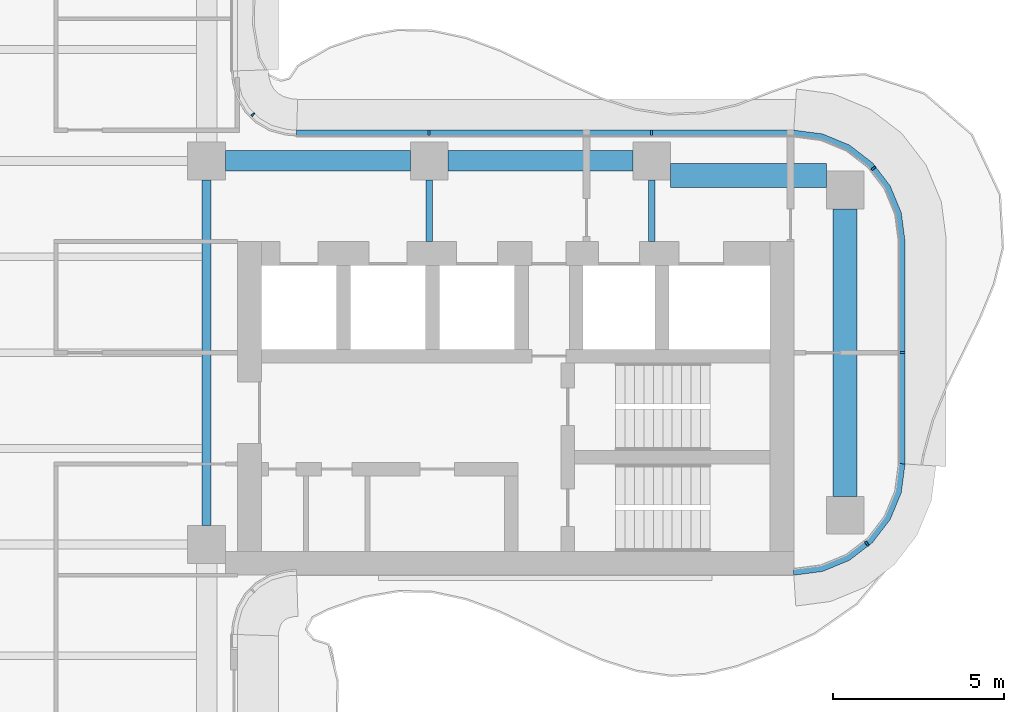
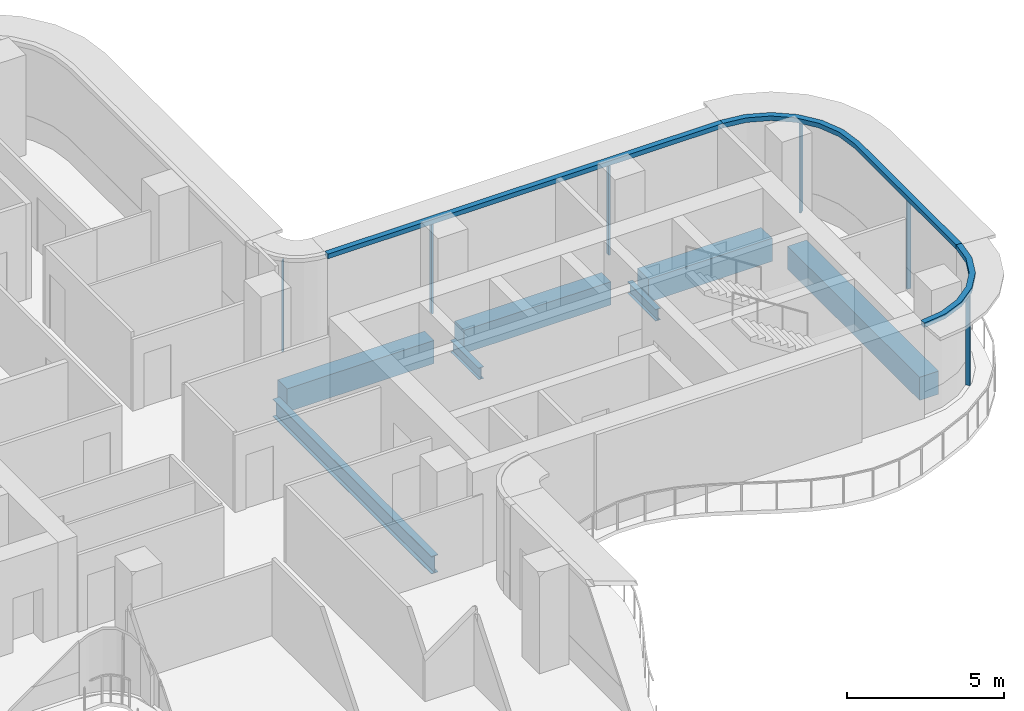
# One storey, part 6 of 17: 9 members, 7 beams, 4 elements without a shape of their own.
"""IFC4 building model written with IfcOpenShell, lengths in metres."""

from ifc_helpers import new_model, si_unit, direction, frame, origin, origin_2d, place, context, subcontext, project, spatial, polyline, rectangle, i_section, outline, extrude, source, transform, mapped, material, layer, layer_set, material_profile, profile_set, type_object, element, aggregate, save


model = new_model("IFC4")

# Units and contexts
model_context = context("Model", 3, precision=1e-05, world=origin(), true_north=direction((0.0, 1.0)))
body_context = subcontext(model_context, "Body", "Model", "MODEL_VIEW")
ifc_project = project(units=[si_unit("LENGTHUNIT", "METRE"), si_unit("AREAUNIT", "SQUARE_METRE"), si_unit("VOLUMEUNIT", "CUBIC_METRE"), si_unit("PLANEANGLEUNIT", "RADIAN"), si_unit("MASSUNIT", "GRAM", prefix="KILO")], contexts=[model_context])

# Site, building, storey
site_placement = place(None, origin())
site = spatial("IfcSite", under=ifc_project, at=site_placement, CompositionType="ELEMENT")
building_placement = place(site_placement, origin())
building = spatial("IfcBuilding", under=site, at=building_placement, Name="Trellis Farm Tower", CompositionType="ELEMENT")
storey_placement = place(building_placement, frame((0.0, 0.0, 244.10009765625)))
storey = spatial("IfcBuildingStorey", under=building, at=storey_placement, Name="L54", CompositionType="ELEMENT", Elevation=244.10009765625)

# Beams
ifc_material_1 = material(Name="Steel S355", Category="steel")
ifc_material_profile_1 = material_profile(ifc_material_1, i_section(OverallWidth=0.253662109375, OverallDepth=0.68359375, WebThickness=0.012451171875, FlangeThickness=0.021728515625, FilletRadius=0.01513671875, at=origin_2d()), Name="UB 686x254x140")
ifc_profile_set_1 = profile_set([ifc_material_profile_1], Name="Steel S355")
beam_type_1 = type_object("IfcBeamType", Name="UB 686x254x140", PredefinedType="BEAM", material=ifc_profile_set_1)
shared_shape_1 = source(origin(), body_context, "Body", "SweptSolid", [
    extrude(i_section(OverallWidth=0.253662109375, OverallDepth=0.68359375, WebThickness=0.012451171875, FlangeThickness=0.021728515625, FilletRadius=0.01513671875, at=origin_2d()), origin(), (0.0, 0.0, 1.0), 10.10009765625),
])
beam_1_placement = place(storey_placement, frame((5.60009765625, -5.050048828125, -0.541748046875), z_axis=(0.0, 1.0, 0.0), x_axis=(-1.0, 0.0, 0.0)))
element("IfcBeam", 1, at=beam_1_placement, inside=storey, type_object=beam_type_1, Name="Girder", PredefinedType="BEAM", context=body_context, shape_type="MappedRepresentation", body=[
    mapped(shared_shape_1, transform((0.0, 0.0, 0.0))),
])
ifc_material_profile_2 = material_profile(ifc_material_1, i_section(OverallWidth=0.1904296875, OverallDepth=0.45703125, WebThickness=0.009033203125, FlangeThickness=0.014404296875, FilletRadius=0.01025390625, at=origin_2d()), Name="UB 457x191x74")
ifc_profile_set_2 = profile_set([ifc_material_profile_2], Name="Steel S355")
beam_type_2 = type_object("IfcBeamType", Name="UB 457x191x74", PredefinedType="BEAM", material=ifc_profile_set_2)
shared_shape_2 = source(origin(), body_context, "Body", "SweptSolid", [
    extrude(i_section(OverallWidth=0.1904296875, OverallDepth=0.45703125, WebThickness=0.009033203125, FlangeThickness=0.014404296875, FilletRadius=0.01025390625, at=origin_2d()), origin(), (0.0, 0.0, 1.0), 1.800048828125),
])
for number, where, z_axis, x_axis, name in (
    (2, (12.10009765625, 3.25, -0.4287109375), (0.0, 1.0, 0.0), (-1.0, 0.0, 0.0), "Girder"),
    (3, (18.60009765625, 3.25, -0.4287109375), (0.0, 1.0, 0.0), (-1.0, 0.0, 0.0), "Girder"),
):
    element("IfcBeam", number, at=place(storey_placement, frame(where, z_axis=z_axis, x_axis=x_axis)), inside=storey, type_object=beam_type_2, Name=name, PredefinedType="BEAM", context=body_context, shape_type="MappedRepresentation", body=[
        mapped(shared_shape_2, transform((0.0, 0.0, 0.0))),
    ])
ifc_material_2 = material(Name="Concrete C60/75", Category="concrete")
ifc_material_profile_3 = material_profile(ifc_material_2, rectangle(XDim=0.60009765625, YDim=0.89990234375, at=origin_2d()), Name="RC spandrel beam 600x900 C60/75")
ifc_profile_set_3 = profile_set([ifc_material_profile_3], Name="Concrete C60/75")
beam_type_3 = type_object("IfcBeamType", Name="RC spandrel beam 600x900 C60/75", PredefinedType="SPANDREL", material=ifc_profile_set_3)
shared_shape_3 = source(origin(), body_context, "Body", "SweptSolid", [
    extrude(rectangle(XDim=0.60009765625, YDim=0.89990234375, at=origin_2d()), origin(), (0.0, 0.0, 1.0), 5.400146484375),
])
for number, where, z_axis, x_axis, name in (
    (4, (6.14990234375, 5.60009765625, -0.650146484375), (1.0, 0.0, 0.0), (0.0, 1.0, 0.0), "Girder"),
    (5, (12.64990234375, 5.60009765625, -0.650146484375), (1.0, 0.0, 0.0), (0.0, 1.0, 0.0), "Girder"),
):
    element("IfcBeam", number, at=place(storey_placement, frame(where, z_axis=z_axis, x_axis=x_axis)), inside=storey, type_object=beam_type_3, Name=name, PredefinedType="SPANDREL", context=body_context, shape_type="MappedRepresentation", body=[
        mapped(shared_shape_3, transform((0.0, 0.0, 0.0))),
    ])
ifc_material_profile_4 = material_profile(ifc_material_2, rectangle(XDim=0.699951171875, YDim=0.89990234375, at=origin_2d()), Name="RC spandrel beam 700x900 C60/75")
ifc_profile_set_4 = profile_set([ifc_material_profile_4], Name="Concrete C60/75")
beam_type_4 = type_object("IfcBeamType", Name="RC spandrel beam 700x900 C60/75", PredefinedType="SPANDREL", material=ifc_profile_set_4)
shared_shape_4 = source(origin(), body_context, "Body", "SweptSolid", [
    extrude(rectangle(XDim=0.699951171875, YDim=0.89990234375, at=origin_2d()), origin(), (0.0, 0.0, 1.0), 8.39990234375),
])
beam_2_placement = place(storey_placement, frame((24.25, -4.199951171875, -0.650146484375), z_axis=(0.0, 1.0, 0.0), x_axis=(-1.0, 0.0, 0.0)))
element("IfcBeam", 6, at=beam_2_placement, inside=storey, type_object=beam_type_4, Name="Girder", PredefinedType="SPANDREL", context=body_context, shape_type="MappedRepresentation", body=[
    mapped(shared_shape_4, transform((0.0, 0.0, 0.0))),
])
shared_shape_5 = source(origin(), body_context, "Body", "SweptSolid", [
    extrude(rectangle(XDim=0.699951171875, YDim=0.89990234375, at=origin_2d()), origin(), (0.0, 0.0, 1.0), 4.550048828125),
])
beam_3_placement = place(storey_placement, frame((19.14990234375, 5.175048828125, -0.650146484375), z_axis=(1.0, 0.0, 0.0), x_axis=(0.0, 1.0, 0.0)))
element("IfcBeam", 7, at=beam_3_placement, inside=storey, type_object=beam_type_4, Name="Girder", PredefinedType="SPANDREL", context=body_context, shape_type="MappedRepresentation", body=[
    mapped(shared_shape_5, transform((0.0, 0.0, 0.0))),
])

# Curtain wall, member
ifc_material_3 = material(Name="Aluminium and glass curtain wall", Category="aluminium")
ifc_layer_1 = layer(ifc_material_3, 0.18994140625)
ifc_layer_set_1 = layer_set([ifc_layer_1], Name="RIBBON CURTAIN WALL CW1")
curtain_wall_type_1 = type_object("IfcCurtainWallType", Name="RIBBON CURTAIN WALL CW1", PredefinedType="NOTDEFINED", material=ifc_layer_set_1)
placement_1 = place(storey_placement, origin())
curtain_wall_1 = element("IfcCurtainWall", 8, at=placement_1, inside=storey, type_object=curtain_wall_type_1, Name="CW1 007", PredefinedType="NOTDEFINED")
ifc_material_4 = material(Name="Aluminium extrusion 6063-T6", Category="aluminium")
ifc_material_profile_5 = material_profile(ifc_material_4, rectangle(XDim=0.06005859375, YDim=0.14990234375, at=origin_2d()), Name="MULLION 60x150")
ifc_profile_set_5 = profile_set([ifc_material_profile_5], Name="Aluminium extrusion 6063-T6")
member_type_1 = type_object("IfcMemberType", Name="CW1 MULLION 60x150", PredefinedType="MULLION", material=ifc_profile_set_5)
shared_shape_6 = source(origin(), body_context, "Body", "SweptSolid", [
    extrude(rectangle(XDim=0.06005859375, YDim=0.14990234375, at=origin_2d()), origin(), (0.0, 0.0, 1.0), 3.52001953125),
])
member_1_placement = place(storey_placement, frame((24.885498046875, -5.578369140625, 0.0), z_axis=(0.0, 0.0, 1.0), x_axis=(0.793353340291, 0.608761429009, 0.0)))
member_1 = element("IfcMember", 9, at=member_1_placement, type_object=member_type_1, Name="MU1 007-01", PredefinedType="MULLION", context=body_context, shape_type="MappedRepresentation", body=[
    mapped(shared_shape_6, transform((0.0, 0.0, 0.0))),
])

# Curtain wall, members
curtain_wall_2 = element("IfcCurtainWall", 10, at=placement_1, inside=storey, type_object=curtain_wall_type_1, Name="CW1 008", PredefinedType="NOTDEFINED")
member_2_placement = place(storey_placement, frame((25.925048828125, 0.0, 0.0), z_axis=(0.0, 0.0, 1.0), x_axis=(0.0, 1.0, 0.0)))
member_2 = element("IfcMember", 11, at=member_2_placement, type_object=member_type_1, Name="MU1 008-01", PredefinedType="MULLION", context=body_context, shape_type="MappedRepresentation", body=[
    mapped(shared_shape_6, transform((0.0, 0.0, 0.0))),
])
member_3_placement = place(storey_placement, frame((25.078369140625, 5.385498046875, 0.0), z_axis=(0.0, 0.0, 1.0), x_axis=(-0.608761429009, 0.793353340291, 0.0)))
member_3 = element("IfcMember", 12, at=member_3_placement, type_object=member_type_1, Name="MU1 008-02", PredefinedType="MULLION", context=body_context, shape_type="MappedRepresentation", body=[
    mapped(shared_shape_6, transform((0.0, 0.0, 0.0))),
])

curtain_wall_3 = element("IfcCurtainWall", 13, at=placement_1, inside=storey, type_object=curtain_wall_type_1, Name="CW1 009", PredefinedType="NOTDEFINED")
member_4_placement = place(storey_placement, frame((18.60009765625, 6.425048828125, 0.0), z_axis=(0.0, 0.0, 1.0), x_axis=(-1.0, 0.0, 0.0)))
member_4 = element("IfcMember", 14, at=member_4_placement, type_object=member_type_1, Name="MU1 009-01", PredefinedType="MULLION", context=body_context, shape_type="MappedRepresentation", body=[
    mapped(shared_shape_6, transform((0.0, 0.0, 0.0))),
])
member_5_placement = place(storey_placement, frame((12.10009765625, 6.425048828125, 0.0), z_axis=(0.0, 0.0, 1.0), x_axis=(-1.0, 0.0, 0.0)))
member_5 = element("IfcMember", 15, at=member_5_placement, type_object=member_type_1, Name="MU1 009-02", PredefinedType="MULLION", context=body_context, shape_type="MappedRepresentation", body=[
    mapped(shared_shape_6, transform((0.0, 0.0, 0.0))),
])

# Curtain wall, member
ifc_layer_2 = layer(ifc_material_3, 0.166015625)
ifc_layer_set_2 = layer_set([ifc_layer_2], Name="WINTER GARDEN CURTAIN WALL CW3")
curtain_wall_type_2 = type_object("IfcCurtainWallType", Name="WINTER GARDEN CURTAIN WALL CW3", PredefinedType="NOTDEFINED", material=ifc_layer_set_2)
curtain_wall_4 = element("IfcCurtainWall", 16, at=placement_1, inside=storey, type_object=curtain_wall_type_2, Name="CW3 003", PredefinedType="NOTDEFINED")
ifc_material_profile_6 = material_profile(ifc_material_4, rectangle(XDim=0.050048828125, YDim=0.1201171875, at=origin_2d()), Name="MULLION 50x120")
ifc_profile_set_6 = profile_set([ifc_material_profile_6], Name="Aluminium extrusion 6063-T6")
member_type_2 = type_object("IfcMemberType", Name="CW3 MULLION 50x120", PredefinedType="MULLION", material=ifc_profile_set_6)
shared_shape_7 = source(origin(), body_context, "Body", "SweptSolid", [
    extrude(rectangle(XDim=0.050048828125, YDim=0.1201171875, at=origin_2d()), origin(), (0.0, 0.0, 1.0), 3.5498046875),
])
member_6_placement = place(storey_placement, frame((6.953125, 6.953125, 0.0), z_axis=(0.0, 0.0, 1.0), x_axis=(-0.707106781187, 0.707106781187, 0.0)))
member_6 = element("IfcMember", 17, at=member_6_placement, type_object=member_type_2, Name="MU3 003-01", PredefinedType="MULLION", context=body_context, shape_type="MappedRepresentation", body=[
    mapped(shared_shape_7, transform((0.0, 0.0, 0.0))),
])
aggregate(curtain_wall_4, [member_6])

# Member
ifc_layer_3 = layer(ifc_material_4, 0.199951171875)
ifc_layer_set_3 = layer_set([ifc_layer_3], Name="Aluminium extrusion 6063-T6")
member_type_3 = type_object("IfcMemberType", Name="CW1 TRANSOM 200x180", PredefinedType="USERDEFINED", material=ifc_layer_set_3)
shared_shape_8 = source(origin(), body_context, "Body", "SweptSolid", [
    extrude(outline(polyline([(22.75, -6.5), (23.591064453125, -6.38916015625), (24.375, -6.064697265625), (25.048095703125, -5.548095703125), (25.564697265625, -4.875), (25.88916015625, -4.091064453125), (26.0, -3.25), (25.800048828125, -3.23681640625), (25.6943359375, -4.0390625), (25.389892578125, -4.774169921875), (24.905517578125, -5.405517578125), (24.274169921875, -5.889892578125), (23.5390625, -6.1943359375), (22.73681640625, -6.300048828125), (22.75, -6.5)])), origin(), (0.0, 0.0, 1.0), 0.179931640625),
])
placement_2 = place(storey_placement, frame((0.0, 0.0, 3.52001953125)))
member_7 = element("IfcMember", 18, at=placement_2, type_object=member_type_3, Name="TR1 007", ObjectType="TRANSOM", PredefinedType="USERDEFINED", context=body_context, shape_type="MappedRepresentation", body=[
    mapped(shared_shape_8, transform((0.0, 0.0, 0.0))),
])

aggregate(curtain_wall_1, [member_1, member_7])

shared_shape_9 = source(origin(), body_context, "Body", "SweptSolid", [
    extrude(outline(polyline([(22.75, 6.5), (8.2314453125, 6.5), (8.224853515625, 6.300048828125), (22.73681640625, 6.300048828125), (22.75, 6.5)])), origin(), (0.0, 0.0, 1.0), 0.179931640625),
])
member_8 = element("IfcMember", 19, at=placement_2, type_object=member_type_3, Name="TR1 009", ObjectType="TRANSOM", PredefinedType="USERDEFINED", context=body_context, shape_type="MappedRepresentation", body=[
    mapped(shared_shape_9, transform((0.0, 0.0, 0.0))),
])

aggregate(curtain_wall_3, [member_4, member_5, member_8])

shared_shape_10 = source(origin(), body_context, "Body", "SweptSolid", [
    extrude(outline(polyline([(26.0, -3.25), (26.0, 3.25), (25.88916015625, 4.091064453125), (25.564697265625, 4.875), (25.048095703125, 5.548095703125), (24.375, 6.064697265625), (23.591064453125, 6.38916015625), (22.75, 6.5), (22.73681640625, 6.300048828125), (23.5390625, 6.1943359375), (24.274169921875, 5.889892578125), (24.905517578125, 5.405517578125), (25.389892578125, 4.774169921875), (25.6943359375, 4.0390625), (25.800048828125, 3.23681640625), (25.800048828125, -3.23681640625), (26.0, -3.25)])), origin(), (0.0, 0.0, 1.0), 0.179931640625),
])
member_9 = element("IfcMember", 20, at=placement_2, type_object=member_type_3, Name="TR1 008", ObjectType="TRANSOM", PredefinedType="USERDEFINED", context=body_context, shape_type="MappedRepresentation", body=[
    mapped(shared_shape_10, transform((0.0, 0.0, 0.0))),
])

aggregate(curtain_wall_2, [member_2, member_3, member_9])

save(model, "model.ifc")
